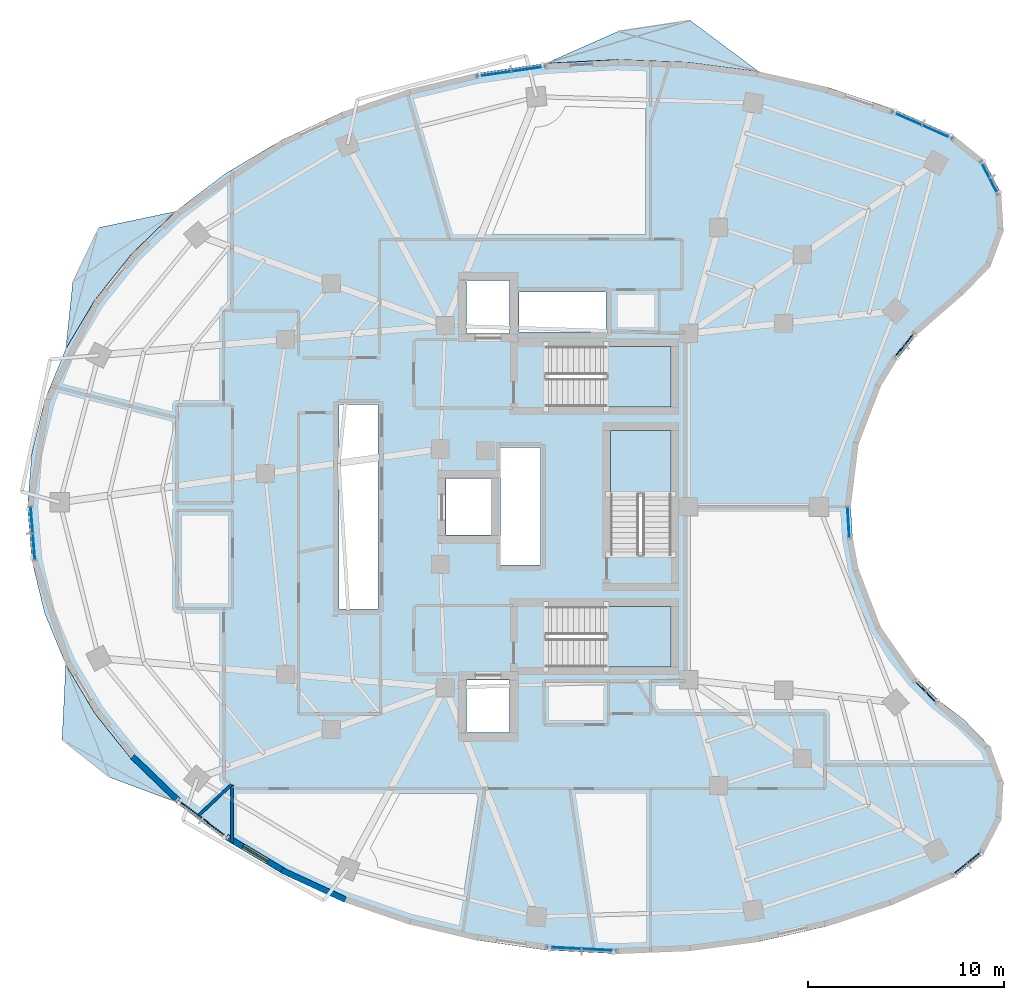
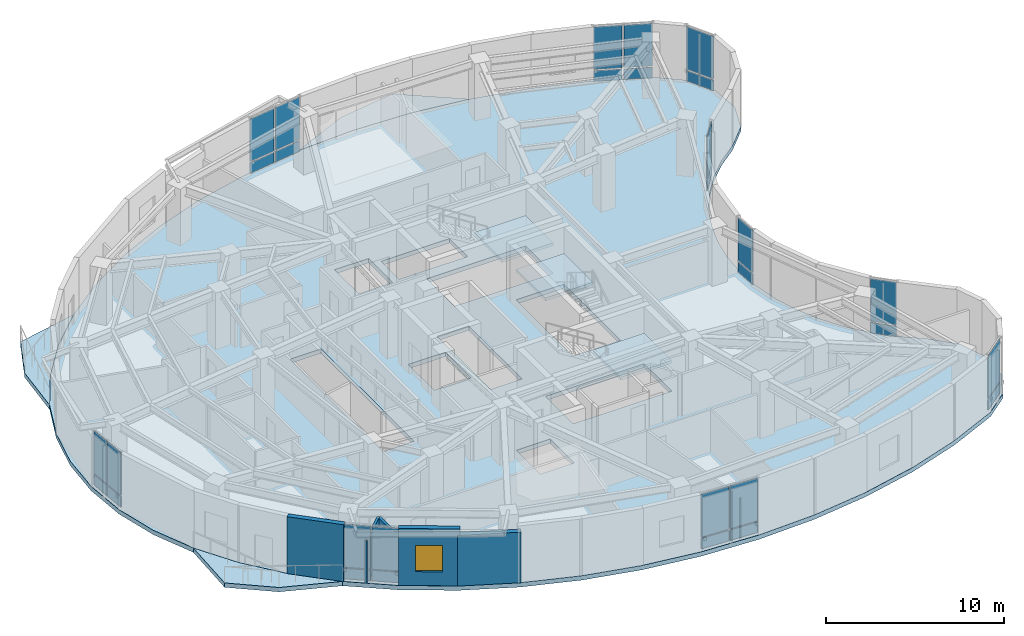
# One storey, part 7 of 15: 30 plates, 7 slabs, 5 walls, 1 window, 1 opening, 13 elements without a shape of their own.
"""IFC4 building model written with IfcOpenShell, lengths in metres."""

from ifc_helpers import new_model, si_unit, direction, frame, frame_2d, origin, origin_2d, place, context, subcontext, project, spatial, polyline, rectangle, outline, extrude, material, layer, layer_set, type_object, element, fill, aggregate, save


model = new_model("IFC4")

# Units and contexts
model_context = context("Model", 3, precision=1e-05, world=origin(), true_north=direction((0.0, 1.0)))
body_context = subcontext(model_context, "Body", "Model", "MODEL_VIEW")
ifc_project = project(units=[si_unit("LENGTHUNIT", "METRE"), si_unit("AREAUNIT", "SQUARE_METRE"), si_unit("VOLUMEUNIT", "CUBIC_METRE"), si_unit("PLANEANGLEUNIT", "RADIAN"), si_unit("MASSUNIT", "GRAM", prefix="KILO")], contexts=[model_context])

# Site, building, storey
site_placement = place(None, origin())
site = spatial("IfcSite", under=ifc_project, at=site_placement, CompositionType="ELEMENT")
building_placement = place(site_placement, origin())
building = spatial("IfcBuilding", under=site, at=building_placement, Name="Korentha Bioscience Tower", CompositionType="ELEMENT")
storey_placement = place(building_placement, frame((0.0, 0.0, 235.199951171875)))
storey = spatial("IfcBuildingStorey", under=building, at=storey_placement, Name="L54", CompositionType="ELEMENT", Elevation=235.199951171875)

# Curtain wall, plates
ifc_material_1 = material(Name="Thermally Broken Aluminium Frame", Category="aluminium")
ifc_layer_1 = layer(ifc_material_1, 0.219970703125, Name="Thermally Broken Aluminium Frame")
ifc_layer_set_1 = layer_set([ifc_layer_1], Name="Thermally Broken Aluminium Frame (CW-T2)")
curtain_wall_type_1 = type_object("IfcCurtainWallType", Name="Solar-Screened Lab Unitised Curtain Wall CW-T2", PredefinedType="USERDEFINED", material=ifc_layer_set_1)
curtain_wall_1_placement = place(storey_placement, origin())
curtain_wall_1 = element("IfcCurtainWall", 1, at=curtain_wall_1_placement, inside=storey, type_object=curtain_wall_type_1, Name="L54 Curtain Wall 01", ObjectType="UNITISED", PredefinedType="USERDEFINED")
ifc_material_2 = material(Name="Triple-Glazed Low-E Insulated Glass", Category="glass")
ifc_layer_2 = layer(ifc_material_2, 0.0439453125, Name="Triple-Glazed Low-E Insulated Glass")
ifc_layer_set_2 = layer_set([ifc_layer_2], Name="Triple-Glazed Low-E Insulated Glass (GL-44)")
plate_type = type_object("IfcPlateType", Name="Glazed Panel 44mm", PredefinedType="CURTAIN_PANEL", material=ifc_layer_set_2)
plate_1_placement = place(storey_placement, frame((50.25537109375, 46.142822265625, 0.08984375), z_axis=(0.0, 0.0, 1.0), x_axis=(-0.913943941578, 0.405840450983, 0.0)))
plate_1 = element("IfcPlate", 2, at=plate_1_placement, type_object=plate_type, Name="CW-L54-01 Bay 1 Glazed Panel 1", PredefinedType="CURTAIN_PANEL", context=body_context, shape_type="SweptSolid", body=[
    extrude(rectangle(XDim=1.624267578125, YDim=0.0439453125, at=origin_2d()), origin(), (0.0, 0.0, 1.0), 0.715087890625),
])
plate_2_placement = place(storey_placement, frame((50.25537109375, 46.142822265625, 0.89501953125), z_axis=(0.0, 0.0, 1.0), x_axis=(-0.913943941578, 0.405840450983, 0.0)))
plate_2 = element("IfcPlate", 3, at=plate_2_placement, type_object=plate_type, Name="CW-L54-01 Bay 1 Glazed Panel 2", PredefinedType="CURTAIN_PANEL", context=body_context, shape_type="SweptSolid", body=[
    extrude(rectangle(XDim=1.624267578125, YDim=0.0439453125, at=origin_2d()), origin(), (0.0, 0.0, 1.0), 2.9150390625),
])
plate_3_placement = place(storey_placement, frame((48.688720703125, 46.838623046875, 0.08984375), z_axis=(0.0, 0.0, 1.0), x_axis=(-0.913943941578, 0.405840450983, 0.0)))
plate_3 = element("IfcPlate", 4, at=plate_3_placement, type_object=plate_type, Name="CW-L54-01 Bay 2 Glazed Panel 1", PredefinedType="CURTAIN_PANEL", context=body_context, shape_type="SweptSolid", body=[
    extrude(rectangle(XDim=1.624267578125, YDim=0.0439453125, at=origin_2d()), origin(), (0.0, 0.0, 1.0), 0.715087890625),
])
plate_4_placement = place(storey_placement, frame((48.688720703125, 46.838623046875, 0.89501953125), z_axis=(0.0, 0.0, 1.0), x_axis=(-0.913943941578, 0.405840450983, 0.0)))
plate_4 = element("IfcPlate", 5, at=plate_4_placement, type_object=plate_type, Name="CW-L54-01 Bay 2 Glazed Panel 2", PredefinedType="CURTAIN_PANEL", context=body_context, shape_type="SweptSolid", body=[
    extrude(rectangle(XDim=1.624267578125, YDim=0.0439453125, at=origin_2d()), origin(), (0.0, 0.0, 1.0), 2.9150390625),
])
aggregate(curtain_wall_1, [plate_1, plate_2, plate_3, plate_4])

curtain_wall_2_placement = place(storey_placement, origin())
curtain_wall_2 = element("IfcCurtainWall", 6, at=curtain_wall_2_placement, inside=storey, type_object=curtain_wall_type_1, Name="L54 Curtain Wall 07", ObjectType="UNITISED", PredefinedType="USERDEFINED")
plate_5_placement = place(storey_placement, frame((29.373779296875, 49.370849609375, 0.08984375), z_axis=(0.0, 0.0, 1.0), x_axis=(-0.989901889134, -0.141754188259, 0.0)))
plate_5 = element("IfcPlate", 7, at=plate_5_placement, type_object=plate_type, Name="CW-L54-07 Bay 1 Glazed Panel 1", PredefinedType="CURTAIN_PANEL", context=body_context, shape_type="SweptSolid", body=[
    extrude(rectangle(XDim=1.7158203125, YDim=0.0439453125, at=origin_2d()), origin(), (0.0, 0.0, 1.0), 0.715087890625),
])
plate_6_placement = place(storey_placement, frame((29.373779296875, 49.370849609375, 0.89501953125), z_axis=(0.0, 0.0, 1.0), x_axis=(-0.989901889134, -0.141754188259, 0.0)))
plate_6 = element("IfcPlate", 8, at=plate_6_placement, type_object=plate_type, Name="CW-L54-07 Bay 1 Glazed Panel 2", PredefinedType="CURTAIN_PANEL", context=body_context, shape_type="SweptSolid", body=[
    extrude(rectangle(XDim=1.7158203125, YDim=0.0439453125, at=origin_2d()), origin(), (0.0, 0.0, 1.0), 2.9150390625),
])
plate_7_placement = place(storey_placement, frame((27.586181640625, 49.114990234375, 0.08984375), z_axis=(0.0, 0.0, 1.0), x_axis=(-0.989901889134, -0.141754188259, 0.0)))
plate_7 = element("IfcPlate", 9, at=plate_7_placement, type_object=plate_type, Name="CW-L54-07 Bay 2 Glazed Panel 1", PredefinedType="CURTAIN_PANEL", context=body_context, shape_type="SweptSolid", body=[
    extrude(rectangle(XDim=1.7158203125, YDim=0.0439453125, at=origin_2d()), origin(), (0.0, 0.0, 1.0), 0.715087890625),
])
plate_8_placement = place(storey_placement, frame((27.586181640625, 49.114990234375, 0.89501953125), z_axis=(0.0, 0.0, 1.0), x_axis=(-0.989901889134, -0.141754188259, 0.0)))
plate_8 = element("IfcPlate", 10, at=plate_8_placement, type_object=plate_type, Name="CW-L54-07 Bay 2 Glazed Panel 2", PredefinedType="CURTAIN_PANEL", context=body_context, shape_type="SweptSolid", body=[
    extrude(rectangle(XDim=1.7158203125, YDim=0.0439453125, at=origin_2d()), origin(), (0.0, 0.0, 1.0), 2.9150390625),
])
aggregate(curtain_wall_2, [plate_5, plate_6, plate_7, plate_8])

curtain_wall_3_placement = place(storey_placement, origin())
curtain_wall_3 = element("IfcCurtainWall", 11, at=curtain_wall_3_placement, inside=storey, type_object=curtain_wall_type_1, Name="L54 Curtain Wall 19", ObjectType="UNITISED", PredefinedType="USERDEFINED")
plate_9_placement = place(storey_placement, frame((3.971435546875, 26.3251953125, 0.08984375), z_axis=(0.0, 0.0, 1.0), x_axis=(0.07974803224, -0.996815053736, 0.0)))
plate_9 = element("IfcPlate", 12, at=plate_9_placement, type_object=plate_type, Name="CW-L54-19 Bay 1 Glazed Panel 1", PredefinedType="CURTAIN_PANEL", context=body_context, shape_type="SweptSolid", body=[
    extrude(rectangle(XDim=1.279541015625, YDim=0.0439453125, at=origin_2d()), origin(), (0.0, 0.0, 1.0), 0.715087890625),
])
plate_10_placement = place(storey_placement, frame((3.971435546875, 26.3251953125, 0.89501953125), z_axis=(0.0, 0.0, 1.0), x_axis=(0.07974803224, -0.996815053736, 0.0)))
plate_10 = element("IfcPlate", 13, at=plate_10_placement, type_object=plate_type, Name="CW-L54-19 Bay 1 Glazed Panel 2", PredefinedType="CURTAIN_PANEL", context=body_context, shape_type="SweptSolid", body=[
    extrude(rectangle(XDim=1.279541015625, YDim=0.0439453125, at=origin_2d()), origin(), (0.0, 0.0, 1.0), 2.9150390625),
])
plate_11_placement = place(storey_placement, frame((4.080810546875, 24.960205078125, 0.08984375), z_axis=(0.0, 0.0, 1.0), x_axis=(0.07974803224, -0.996815053736, 0.0)))
plate_11 = element("IfcPlate", 14, at=plate_11_placement, type_object=plate_type, Name="CW-L54-19 Bay 2 Glazed Panel 1", PredefinedType="CURTAIN_PANEL", context=body_context, shape_type="SweptSolid", body=[
    extrude(rectangle(XDim=1.279541015625, YDim=0.0439453125, at=origin_2d()), origin(), (0.0, 0.0, 1.0), 0.715087890625),
])
plate_12_placement = place(storey_placement, frame((4.080810546875, 24.960205078125, 0.89501953125), z_axis=(0.0, 0.0, 1.0), x_axis=(0.07974803224, -0.996815053736, 0.0)))
plate_12 = element("IfcPlate", 15, at=plate_12_placement, type_object=plate_type, Name="CW-L54-19 Bay 2 Glazed Panel 2", PredefinedType="CURTAIN_PANEL", context=body_context, shape_type="SweptSolid", body=[
    extrude(rectangle(XDim=1.279541015625, YDim=0.0439453125, at=origin_2d()), origin(), (0.0, 0.0, 1.0), 2.9150390625),
])
aggregate(curtain_wall_3, [plate_9, plate_10, plate_11, plate_12])

curtain_wall_4_placement = place(storey_placement, origin())
curtain_wall_4 = element("IfcCurtainWall", 16, at=curtain_wall_4_placement, inside=storey, type_object=curtain_wall_type_1, Name="L54 Curtain Wall 25", ObjectType="UNITISED", PredefinedType="USERDEFINED")
plate_13_placement = place(storey_placement, frame((12.063720703125, 11.55126953125, 0.08984375), z_axis=(0.0, 0.0, 1.0), x_axis=(0.796889131105, -0.604125576951, 0.0)))
plate_13 = element("IfcPlate", 17, at=plate_13_placement, type_object=plate_type, Name="CW-L54-25 Bay 1 Glazed Panel 1", PredefinedType="CURTAIN_PANEL", context=body_context, shape_type="SweptSolid", body=[
    extrude(rectangle(XDim=1.517822265625, YDim=0.0439453125, at=origin_2d()), origin(), (0.0, 0.0, 1.0), 0.715087890625),
])
plate_14_placement = place(storey_placement, frame((12.063720703125, 11.55126953125, 0.89501953125), z_axis=(0.0, 0.0, 1.0), x_axis=(0.796889131105, -0.604125576951, 0.0)))
plate_14 = element("IfcPlate", 18, at=plate_14_placement, type_object=plate_type, Name="CW-L54-25 Bay 1 Glazed Panel 2", PredefinedType="CURTAIN_PANEL", context=body_context, shape_type="SweptSolid", body=[
    extrude(rectangle(XDim=1.517822265625, YDim=0.0439453125, at=origin_2d()), origin(), (0.0, 0.0, 1.0), 2.9150390625),
])
plate_15_placement = place(storey_placement, frame((13.344970703125, 10.579833984375, 0.08984375), z_axis=(0.0, 0.0, 1.0), x_axis=(0.796889131105, -0.604125576951, 0.0)))
plate_15 = element("IfcPlate", 19, at=plate_15_placement, type_object=plate_type, Name="CW-L54-25 Bay 2 Glazed Panel 1", PredefinedType="CURTAIN_PANEL", context=body_context, shape_type="SweptSolid", body=[
    extrude(rectangle(XDim=1.517822265625, YDim=0.0439453125, at=origin_2d()), origin(), (0.0, 0.0, 1.0), 0.715087890625),
])
plate_16_placement = place(storey_placement, frame((13.344970703125, 10.579833984375, 0.89501953125), z_axis=(0.0, 0.0, 1.0), x_axis=(0.796889131105, -0.604125576951, 0.0)))
plate_16 = element("IfcPlate", 20, at=plate_16_placement, type_object=plate_type, Name="CW-L54-25 Bay 2 Glazed Panel 2", PredefinedType="CURTAIN_PANEL", context=body_context, shape_type="SweptSolid", body=[
    extrude(rectangle(XDim=1.517822265625, YDim=0.0439453125, at=origin_2d()), origin(), (0.0, 0.0, 1.0), 2.9150390625),
])
aggregate(curtain_wall_4, [plate_13, plate_14, plate_15, plate_16])

curtain_wall_5_placement = place(storey_placement, origin())
curtain_wall_5 = element("IfcCurtainWall", 21, at=curtain_wall_5_placement, inside=storey, type_object=curtain_wall_type_1, Name="L54 Curtain Wall 31", ObjectType="UNITISED", PredefinedType="USERDEFINED")
plate_17_placement = place(storey_placement, frame((31.170654296875, 4.455078125, 0.08984375), z_axis=(0.0, 0.0, 1.0), x_axis=(0.998695818107, -0.051055488397, 0.0)))
plate_17 = element("IfcPlate", 22, at=plate_17_placement, type_object=plate_type, Name="CW-L54-31 Bay 1 Glazed Panel 1", PredefinedType="CURTAIN_PANEL", context=body_context, shape_type="SweptSolid", body=[
    extrude(rectangle(XDim=1.727783203125, YDim=0.0439453125, at=origin_2d()), origin(), (0.0, 0.0, 1.0), 0.715087890625),
])
plate_18_placement = place(storey_placement, frame((31.170654296875, 4.455078125, 0.89501953125), z_axis=(0.0, 0.0, 1.0), x_axis=(0.998695818107, -0.051055488397, 0.0)))
plate_18 = element("IfcPlate", 23, at=plate_18_placement, type_object=plate_type, Name="CW-L54-31 Bay 1 Glazed Panel 2", PredefinedType="CURTAIN_PANEL", context=body_context, shape_type="SweptSolid", body=[
    extrude(rectangle(XDim=1.727783203125, YDim=0.0439453125, at=origin_2d()), origin(), (0.0, 0.0, 1.0), 2.9150390625),
])
plate_19_placement = place(storey_placement, frame((32.98583984375, 4.3623046875, 0.08984375), z_axis=(0.0, 0.0, 1.0), x_axis=(0.998695818107, -0.051055488397, 0.0)))
plate_19 = element("IfcPlate", 24, at=plate_19_placement, type_object=plate_type, Name="CW-L54-31 Bay 2 Glazed Panel 1", PredefinedType="CURTAIN_PANEL", context=body_context, shape_type="SweptSolid", body=[
    extrude(rectangle(XDim=1.727783203125, YDim=0.0439453125, at=origin_2d()), origin(), (0.0, 0.0, 1.0), 0.715087890625),
])
plate_20_placement = place(storey_placement, frame((32.98583984375, 4.3623046875, 0.89501953125), z_axis=(0.0, 0.0, 1.0), x_axis=(0.998695818107, -0.051055488397, 0.0)))
plate_20 = element("IfcPlate", 25, at=plate_20_placement, type_object=plate_type, Name="CW-L54-31 Bay 2 Glazed Panel 2", PredefinedType="CURTAIN_PANEL", context=body_context, shape_type="SweptSolid", body=[
    extrude(rectangle(XDim=1.727783203125, YDim=0.0439453125, at=origin_2d()), origin(), (0.0, 0.0, 1.0), 2.9150390625),
])
aggregate(curtain_wall_5, [plate_17, plate_18, plate_19, plate_20])

curtain_wall_6_placement = place(storey_placement, origin())
curtain_wall_6 = element("IfcCurtainWall", 26, at=curtain_wall_6_placement, inside=storey, type_object=curtain_wall_type_1, Name="L54 Curtain Wall 37", ObjectType="UNITISED", PredefinedType="USERDEFINED")
plate_21_placement = place(storey_placement, frame((51.76025390625, 8.790771484375, 0.08984375), z_axis=(0.0, 0.0, 1.0), x_axis=(0.779197616162, 0.626778330008, 0.0)))
plate_21 = element("IfcPlate", 27, at=plate_21_placement, type_object=plate_type, Name="CW-L54-37 Bay 1 Glazed Panel 1", PredefinedType="CURTAIN_PANEL", context=body_context, shape_type="SweptSolid", body=[
    extrude(rectangle(XDim=1.83154296875, YDim=0.0439453125, at=origin_2d()), origin(), (0.0, 0.0, 1.0), 0.715087890625),
])
plate_22_placement = place(storey_placement, frame((51.76025390625, 8.790771484375, 0.89501953125), z_axis=(0.0, 0.0, 1.0), x_axis=(0.779197616162, 0.626778330008, 0.0)))
plate_22 = element("IfcPlate", 28, at=plate_22_placement, type_object=plate_type, Name="CW-L54-37 Bay 1 Glazed Panel 2", PredefinedType="CURTAIN_PANEL", context=body_context, shape_type="SweptSolid", body=[
    extrude(rectangle(XDim=1.83154296875, YDim=0.0439453125, at=origin_2d()), origin(), (0.0, 0.0, 1.0), 2.9150390625),
])
aggregate(curtain_wall_6, [plate_21, plate_22])

curtain_wall_7_placement = place(storey_placement, origin())
curtain_wall_7 = element("IfcCurtainWall", 29, at=curtain_wall_7_placement, inside=storey, type_object=curtain_wall_type_1, Name="L54 Curtain Wall 43", ObjectType="UNITISED", PredefinedType="USERDEFINED")
plate_23_placement = place(storey_placement, frame((49.651611328125, 17.537109375, 0.08984375), z_axis=(0.0, 0.0, 1.0), x_axis=(-0.713258270268, 0.700901305388, 0.0)))
plate_23 = element("IfcPlate", 30, at=plate_23_placement, type_object=plate_type, Name="CW-L54-43 Bay 1 Glazed Panel 1", PredefinedType="CURTAIN_PANEL", context=body_context, shape_type="SweptSolid", body=[
    extrude(rectangle(XDim=1.50341796875, YDim=0.0439453125, at=origin_2d()), origin(), (0.0, 0.0, 1.0), 0.715087890625),
])
plate_24_placement = place(storey_placement, frame((49.651611328125, 17.537109375, 0.89501953125), z_axis=(0.0, 0.0, 1.0), x_axis=(-0.713258270268, 0.700901305388, 0.0)))
plate_24 = element("IfcPlate", 31, at=plate_24_placement, type_object=plate_type, Name="CW-L54-43 Bay 1 Glazed Panel 2", PredefinedType="CURTAIN_PANEL", context=body_context, shape_type="SweptSolid", body=[
    extrude(rectangle(XDim=1.50341796875, YDim=0.0439453125, at=origin_2d()), origin(), (0.0, 0.0, 1.0), 2.9150390625),
])
aggregate(curtain_wall_7, [plate_23, plate_24])

ifc_layer_3 = layer(ifc_material_1, 0.219970703125, Name="Thermally Broken Aluminium Frame")
ifc_layer_set_3 = layer_set([ifc_layer_3], Name="Thermally Broken Aluminium Frame (CW-T1)")
curtain_wall_type_2 = type_object("IfcCurtainWallType", Name="Standard Bioscience Lab Unitised Curtain Wall CW-T1", PredefinedType="USERDEFINED", material=ifc_layer_set_3)
curtain_wall_8_placement = place(storey_placement, origin())
curtain_wall_8 = element("IfcCurtainWall", 32, at=curtain_wall_8_placement, inside=storey, type_object=curtain_wall_type_2, Name="L54 Curtain Wall 49", ObjectType="UNITISED", PredefinedType="USERDEFINED")
plate_25_placement = place(storey_placement, frame((45.708251953125, 26.190185546875, 0.08984375), z_axis=(0.0, 0.0, 1.0), x_axis=(-0.06095424178, 0.998140561449, 0.0)))
plate_25 = element("IfcPlate", 33, at=plate_25_placement, type_object=plate_type, Name="CW-L54-49 Bay 1 Glazed Panel 1", PredefinedType="CURTAIN_PANEL", context=body_context, shape_type="SweptSolid", body=[
    extrude(rectangle(XDim=1.503173828125, YDim=0.0439453125, at=origin_2d()), origin(), (0.0, 0.0, 1.0), 0.715087890625),
])
plate_26_placement = place(storey_placement, frame((45.708251953125, 26.190185546875, 0.89501953125), z_axis=(0.0, 0.0, 1.0), x_axis=(-0.06095424178, 0.998140561449, 0.0)))
plate_26 = element("IfcPlate", 34, at=plate_26_placement, type_object=plate_type, Name="CW-L54-49 Bay 1 Glazed Panel 2", PredefinedType="CURTAIN_PANEL", context=body_context, shape_type="SweptSolid", body=[
    extrude(rectangle(XDim=1.503173828125, YDim=0.0439453125, at=origin_2d()), origin(), (0.0, 0.0, 1.0), 2.9150390625),
])
aggregate(curtain_wall_8, [plate_25, plate_26])

curtain_wall_9_placement = place(storey_placement, origin())
curtain_wall_9 = element("IfcCurtainWall", 35, at=curtain_wall_9_placement, inside=storey, type_object=curtain_wall_type_1, Name="L54 Curtain Wall 55", ObjectType="UNITISED", PredefinedType="USERDEFINED")
plate_27_placement = place(storey_placement, frame((48.567626953125, 35.259033203125, 0.08984375), z_axis=(0.0, 0.0, 1.0), x_axis=(0.622511989066, 0.782610262819, 0.0)))
plate_27 = element("IfcPlate", 36, at=plate_27_placement, type_object=plate_type, Name="CW-L54-55 Bay 1 Glazed Panel 1", PredefinedType="CURTAIN_PANEL", context=body_context, shape_type="SweptSolid", body=[
    extrude(rectangle(XDim=1.50341796875, YDim=0.0439453125, at=origin_2d()), origin(), (0.0, 0.0, 1.0), 0.715087890625),
])
plate_28_placement = place(storey_placement, frame((48.567626953125, 35.259033203125, 0.89501953125), z_axis=(0.0, 0.0, 1.0), x_axis=(0.622511989066, 0.782610262819, 0.0)))
plate_28 = element("IfcPlate", 37, at=plate_28_placement, type_object=plate_type, Name="CW-L54-55 Bay 1 Glazed Panel 2", PredefinedType="CURTAIN_PANEL", context=body_context, shape_type="SweptSolid", body=[
    extrude(rectangle(XDim=1.50341796875, YDim=0.0439453125, at=origin_2d()), origin(), (0.0, 0.0, 1.0), 2.9150390625),
])
aggregate(curtain_wall_9, [plate_27, plate_28])

curtain_wall_10_placement = place(storey_placement, origin())
curtain_wall_10 = element("IfcCurtainWall", 38, at=curtain_wall_10_placement, inside=storey, type_object=curtain_wall_type_1, Name="L54 Curtain Wall 61", ObjectType="UNITISED", PredefinedType="USERDEFINED")
plate_29_placement = place(storey_placement, frame((52.914794921875, 43.79736328125, 0.08984375), z_axis=(0.0, 0.0, 1.0), x_axis=(-0.459738031963, 0.888054582763, 0.0)))
plate_29 = element("IfcPlate", 39, at=plate_29_placement, type_object=plate_type, Name="CW-L54-61 Bay 1 Glazed Panel 1", PredefinedType="CURTAIN_PANEL", context=body_context, shape_type="SweptSolid", body=[
    extrude(rectangle(XDim=1.831298828125, YDim=0.0439453125, at=origin_2d()), origin(), (0.0, 0.0, 1.0), 0.715087890625),
])
plate_30_placement = place(storey_placement, frame((52.914794921875, 43.79736328125, 0.89501953125), z_axis=(0.0, 0.0, 1.0), x_axis=(-0.459738031963, 0.888054582763, 0.0)))
plate_30 = element("IfcPlate", 40, at=plate_30_placement, type_object=plate_type, Name="CW-L54-61 Bay 1 Glazed Panel 2", PredefinedType="CURTAIN_PANEL", context=body_context, shape_type="SweptSolid", body=[
    extrude(rectangle(XDim=1.831298828125, YDim=0.0439453125, at=origin_2d()), origin(), (0.0, 0.0, 1.0), 2.9150390625),
])
aggregate(curtain_wall_10, [plate_29, plate_30])

# Slab
ifc_material_3 = material(Name="Concrete C50", Category="concrete")
ifc_layer_4 = layer(ifc_material_3, 0.300048828125, Name="Concrete C50")
ifc_layer_set_4 = layer_set([ifc_layer_4], Name="Concrete C50 (SL-L300)")
slab_type_1 = type_object("IfcSlabType", Name="Laboratory Vibration-Controlled Slab 300", PredefinedType="FLOOR", material=ifc_layer_set_4)
slab_1_placement = place(storey_placement, frame((0.0, 0.0, -0.300048828125)))
element("IfcSlab", 41, at=slab_1_placement, inside=storey, type_object=slab_type_1, Name="L54 Tower Structural Floor Slab", PredefinedType="FLOOR", context=body_context, shape_type="SweptSolid", body=[
    extrude(outline(polyline([(51.108154296875, 45.939208984375), (47.9658203125, 47.334716796875), (44.623291015625, 48.4365234375), (41.129638671875, 49.22900390625), (37.53466796875, 49.700439453125), (33.890380859375, 49.843994140625), (30.249755859375, 49.657958984375), (26.664794921875, 49.14453125), (23.187744140625, 48.3115234375), (19.86865234375, 47.1708984375), (16.75537109375, 45.73876953125), (13.892822265625, 44.0361328125), (11.322509765625, 42.087646484375), (9.081298828125, 39.921142578125), (7.201904296875, 37.568115234375), (5.711181640625, 35.0625), (4.630859375, 32.440673828125), (3.976318359375, 29.739990234375), (3.757080078125, 27.0), (3.976318359375, 24.260009765625), (4.630859375, 21.559326171875), (5.711181640625, 18.9375), (7.201904296875, 16.431884765625), (9.081298828125, 14.078857421875), (11.322509765625, 11.912353515625), (13.892822265625, 9.9638671875), (16.75537109375, 8.26123046875), (19.86865234375, 6.8291015625), (23.187744140625, 5.6884765625), (26.664794921875, 4.85546875), (30.249755859375, 4.342041015625), (33.890380859375, 4.156005859375), (37.53466796875, 4.299560546875), (41.129638671875, 4.77099609375), (44.623291015625, 5.5634765625), (47.9658203125, 6.665283203125), (51.108154296875, 8.060791015625), (52.613037109375, 9.271484375), (53.5009765625, 10.986572265625), (53.62060546875, 12.914306640625), (52.951416015625, 14.72607421875), (51.607421875, 16.11328125), (50.33544921875, 17.08935546875), (49.19189453125, 18.213134765625), (48.19384765625, 19.468017578125), (47.35595703125, 20.8349609375), (46.691162109375, 22.2939453125), (46.208984375, 23.8232421875), (45.916748046875, 25.399658203125), (45.819091796875, 27.0), (45.916748046875, 28.600341796875), (46.208984375, 30.1767578125), (46.691162109375, 31.7060546875), (47.35595703125, 33.1650390625), (48.19384765625, 34.531982421875), (49.19189453125, 35.786865234375), (50.33544921875, 36.91064453125), (51.607421875, 37.88671875), (52.951416015625, 39.27392578125), (53.62060546875, 41.085693359375), (53.5009765625, 43.013427734375), (52.613037109375, 44.728515625), (51.108154296875, 45.939208984375)]), holes=[polyline([(30.25, 32.10009765625), (36.64990234375, 32.10009765625), (36.64990234375, 35.199951171875), (30.25, 35.199951171875), (30.25, 32.10009765625)]), polyline([(30.25, 18.800048828125), (36.64990234375, 18.800048828125), (36.64990234375, 21.89990234375), (30.25, 21.89990234375), (30.25, 18.800048828125)]), polyline([(36.64990234375, 24.550048828125), (36.64990234375, 30.89990234375), (33.550048828125, 30.89990234375), (33.550048828125, 24.550048828125), (36.64990234375, 24.550048828125)]), polyline([(19.679931640625, 21.780029296875), (21.669921875, 21.780029296875), (21.669921875, 32.219970703125), (19.679931640625, 32.219970703125), (19.679931640625, 21.780029296875)]), polyline([(27.929931640625, 24.030029296875), (29.969970703125, 24.030029296875), (29.969970703125, 30.02001953125), (27.929931640625, 30.02001953125), (27.929931640625, 24.030029296875)]), polyline([(28.860107421875, 35.93994140625), (33.31005859375, 35.93994140625), (33.31005859375, 37.9599609375), (28.860107421875, 37.9599609375), (28.860107421875, 35.93994140625)]), polyline([(26.199951171875, 15.449951171875), (28.39990234375, 15.449951171875), (28.39990234375, 18.14990234375), (26.199951171875, 18.14990234375), (26.199951171875, 15.449951171875)]), polyline([(26.199951171875, 35.85009765625), (28.39990234375, 35.85009765625), (28.39990234375, 38.550048828125), (26.199951171875, 38.550048828125), (26.199951171875, 35.85009765625)]), polyline([(25.14990234375, 25.550048828125), (27.550048828125, 25.550048828125), (27.550048828125, 28.449951171875), (25.14990234375, 28.449951171875), (25.14990234375, 25.550048828125)])]), origin(), (0.0, 0.0, 1.0), 0.300048828125),
])

# Stair, slab
ifc_material_4 = material(Name="Precast Concrete C50", Category="concrete")
stair_type = type_object("IfcStairType", Name="Core Exit Dog-Leg Stair 1450", PredefinedType="HALF_TURN_STAIR", material=ifc_material_4)
stair_1_placement = place(storey_placement, origin())
stair_1 = element("IfcStair", 42, at=stair_1_placement, inside=storey, type_object=stair_type, Name="L54 Tower North Pressurized Exit Stair ST-1", PredefinedType="HALF_TURN_STAIR")
ifc_layer_5 = layer(ifc_material_3, 0.199951171875, Name="Concrete C50")
ifc_layer_set_5 = layer_set([ifc_layer_5], Name="Concrete C50 (SL-LND)")
slab_type_2 = type_object("IfcSlabType", Name="Landing Slab 200", PredefinedType="LANDING", material=ifc_layer_set_5)
slab_2_placement = place(storey_placement, frame((0.0, 0.0, 1.900146484375)))
slab_2 = element("IfcSlab", 43, at=slab_2_placement, type_object=slab_type_2, Name="ST-1 landing 1", PredefinedType="LANDING", context=body_context, shape_type="SweptSolid", body=[
    extrude(outline(polyline([(33.330078125, 32.10009765625), (36.64990234375, 32.10009765625), (36.64990234375, 35.199951171875), (33.330078125, 35.199951171875), (33.330078125, 32.10009765625)])), origin(), (0.0, 0.0, 1.0), 0.199951171875),
])
aggregate(stair_1, [slab_2])

stair_2_placement = place(storey_placement, origin())
stair_2 = element("IfcStair", 44, at=stair_2_placement, inside=storey, type_object=stair_type, Name="L54 Tower South Pressurized Exit Stair ST-2", PredefinedType="HALF_TURN_STAIR")
slab_3_placement = place(storey_placement, frame((0.0, 0.0, 1.900146484375)))
slab_3 = element("IfcSlab", 45, at=slab_3_placement, type_object=slab_type_2, Name="ST-2 landing 1", PredefinedType="LANDING", context=body_context, shape_type="SweptSolid", body=[
    extrude(outline(polyline([(33.330078125, 18.800048828125), (36.64990234375, 18.800048828125), (36.64990234375, 21.89990234375), (33.330078125, 21.89990234375), (33.330078125, 18.800048828125)])), origin(), (0.0, 0.0, 1.0), 0.199951171875),
])
aggregate(stair_2, [slab_3])

stair_3_placement = place(storey_placement, origin())
stair_3 = element("IfcStair", 46, at=stair_3_placement, inside=storey, type_object=stair_type, Name="L54 Tower Central Pressurized Exit Stair ST-3", PredefinedType="HALF_TURN_STAIR")
slab_4_placement = place(storey_placement, frame((0.0, 0.0, 1.900146484375)))
slab_4 = element("IfcSlab", 47, at=slab_4_placement, type_object=slab_type_2, Name="ST-3 landing 1", PredefinedType="LANDING", context=body_context, shape_type="SweptSolid", body=[
    extrude(outline(polyline([(36.64990234375, 27.6298828125), (36.64990234375, 30.89990234375), (33.550048828125, 30.89990234375), (33.550048828125, 27.6298828125), (36.64990234375, 27.6298828125)])), origin(), (0.0, 0.0, 1.0), 0.199951171875),
])
aggregate(stair_3, [slab_4])

# Slabs
ifc_layer_6 = layer(ifc_material_3, 0.300048828125, Name="Concrete C50")
ifc_layer_set_6 = layer_set([ifc_layer_6], Name="Concrete C50 (BS-240)")
slab_type_3 = type_object("IfcSlabType", Name="Sawtooth Sun-Ledge Balcony Slab 240", PredefinedType="USERDEFINED", material=ifc_layer_set_6)
slab_5_placement = place(storey_placement, frame((0.0, 0.0, -0.300048828125)))
element("IfcSlab", 48, at=slab_5_placement, inside=storey, type_object=slab_type_3, Name="L54 Sun-Ledge Balcony 01", ObjectType="BALCONY", PredefinedType="USERDEFINED", context=body_context, shape_type="SweptSolid", body=[
    extrude(outline(polyline([(30.249755859375, 49.657958984375), (33.890380859375, 49.843994140625), (37.53466796875, 49.700439453125), (41.129638671875, 49.22900390625), (37.619384765625, 51.8486328125), (33.947509765625, 51.29296875), (30.249755859375, 49.657958984375)])), origin(), (0.0, 0.0, 1.0), 0.300048828125),
])
slab_6_placement = place(storey_placement, frame((0.0, 0.0, -0.300048828125)))
element("IfcSlab", 49, at=slab_6_placement, inside=storey, type_object=slab_type_3, Name="L54 Sun-Ledge Balcony 02", ObjectType="BALCONY", PredefinedType="USERDEFINED", context=body_context, shape_type="SweptSolid", body=[
    extrude(outline(polyline([(5.711181640625, 35.0625), (7.201904296875, 37.568115234375), (9.081298828125, 39.921142578125), (11.322509765625, 42.087646484375), (7.401611328125, 41.262939453125), (6.069091796875, 38.47314453125), (5.711181640625, 35.0625)])), origin(), (0.0, 0.0, 1.0), 0.300048828125),
])
slab_7_placement = place(storey_placement, frame((0.0, 0.0, -0.300048828125)))
element("IfcSlab", 50, at=slab_7_placement, inside=storey, type_object=slab_type_3, Name="L54 Sun-Ledge Balcony 03", ObjectType="BALCONY", PredefinedType="USERDEFINED", context=body_context, shape_type="SweptSolid", body=[
    extrude(outline(polyline([(11.322509765625, 11.912353515625), (9.081298828125, 14.078857421875), (7.201904296875, 16.431884765625), (5.711181640625, 18.9375), (5.522216796875, 15.090087890625), (7.948486328125, 13.173828125), (11.322509765625, 11.912353515625)])), origin(), (0.0, 0.0, 1.0), 0.300048828125),
])

# Walls
ifc_material_5 = material(Name="Double-Stud Acoustic Gypsum", Category="gypsum")
ifc_layer_7 = layer(ifc_material_5, 0.14990234375, Name="Double-Stud Acoustic Gypsum")
ifc_layer_set_7 = layer_set([ifc_layer_7], Name="Double-Stud Acoustic Gypsum (IW-L150)")
wall_type_1 = type_object("IfcWallType", Name="Acoustic Laboratory Partition Wall 150", PredefinedType="PARTITIONING", material=ifc_layer_set_7)
wall_1_placement = place(storey_placement, frame((14.17529296875, 12.79931640625, 0.0), z_axis=(0.0, 0.0, 1.0), x_axis=(-0.728528819482, -0.685015152521, 0.0)))
element("IfcWall", 51, at=wall_1_placement, inside=storey, type_object=wall_type_1, Name="L54 Interior Partition 034", PredefinedType="PARTITIONING", context=body_context, shape_type="SweptSolid", body=[
    extrude(rectangle(XDim=2.440673828125, YDim=0.14990234375, at=frame_2d((1.22021484375, 0.0))), origin(), (0.0, 0.0, 1.0), 2.91015625),
])
wall_2_placement = place(storey_placement, frame((14.201904296875, 9.847412109375, 0.0), z_axis=(0.0, 0.0, 1.0), x_axis=(0.0, 1.0, 0.0)))
element("IfcWall", 52, at=wall_2_placement, inside=storey, type_object=wall_type_1, Name="L54 Interior Partition 039", PredefinedType="PARTITIONING", context=body_context, shape_type="SweptSolid", body=[
    extrude(rectangle(XDim=2.931396484375, YDim=0.14990234375, at=frame_2d((1.4658203125, 0.0))), origin(), (0.0, 0.0, 1.0), 2.91015625),
])

# Wall, opening, window
ifc_material_6 = material(Name="Honed Limestone Precast Concrete C40", Category="masonry")
ifc_layer_8 = layer(ifc_material_6, 0.300048828125, Name="Honed Limestone Precast Concrete C40")
ifc_layer_set_8 = layer_set([ifc_layer_8], Name="Honed Limestone Precast Concrete C40 (EW-ST300)")
wall_type_2 = type_object("IfcWallType", Name="Honed Limestone Cavity Spandrel Wall 300", PredefinedType="STANDARD", material=ifc_layer_set_8)
wall_3_placement = place(storey_placement, frame((13.923095703125, 10.132080078125, 0.0), z_axis=(0.0, 0.0, 1.0), x_axis=(0.859459434124, -0.511203952543, 0.0)))
wall_3 = element("IfcWall", 53, at=wall_3_placement, inside=storey, type_object=wall_type_2, Name="L54 Honed Limestone Spandrel Wall 26", PredefinedType="STANDARD", context=body_context, shape_type="SweptSolid", body=[
    extrude(rectangle(XDim=3.450439453125, YDim=0.300048828125, at=frame_2d((1.72509765625, 0.0))), origin(), (0.0, 0.0, 1.0), 3.900146484375),
])
opening_placement = place(wall_3_placement, frame((0.97509765625, 0.0, 0.949951171875)))
opening = element("IfcOpeningElement", 54, at=opening_placement, cuts=wall_3, Name="Opening WN-02", PredefinedType="OPENING", context=body_context, shape_type="SweptSolid", body=[
    extrude(rectangle(XDim=1.5, YDim=1.800048828125, at=frame_2d((0.75, 0.89990234375))), frame((0.0, 0.1650390625, 0.0), z_axis=(0.0, -1.0, 0.0), x_axis=(1.0, 0.0, 0.0)), (0.0, 0.0, 1.0), 0.329833984375),
])
ifc_material_7 = material(Name="Thermally Broken Aluminium Triple Glazing", Category="aluminium")
window_type = type_object("IfcWindowType", Name="Acoustic Operable Office Window 1500x1800", PartitioningType="DOUBLE_PANEL_VERTICAL", PredefinedType="WINDOW", material=ifc_material_7)
window_placement = place(opening_placement, origin())
window = element("IfcWindow", 55, at=window_placement, inside=storey, type_object=window_type, Name="L54 Facade Window 26", OverallHeight=1.800048828125, OverallWidth=1.5, PartitioningType="DOUBLE_PANEL_VERTICAL", PredefinedType="WINDOW", context=body_context, shape_type="SweptSolid", body=[
    extrude(rectangle(XDim=1.5, YDim=1.800048828125, at=frame_2d((0.75, 0.89990234375))), frame((0.0, 0.030029296875, 0.0), z_axis=(0.0, -1.0, 0.0), x_axis=(1.0, 0.0, 0.0)), (0.0, 0.0, 1.0), 0.06005859375),
])
fill(opening, window)

# Walls
wall_4_placement = place(storey_placement, frame((9.12109375, 14.235107421875, 0.0), z_axis=(0.0, 0.0, 1.0), x_axis=(0.718999544538, -0.695010543052, 0.0)))
element("IfcWall", 56, at=wall_4_placement, inside=storey, type_object=wall_type_2, Name="L54 Limestone Perimeter Closure Wall 24", PredefinedType="STANDARD", context=body_context, shape_type="SweptSolid", body=[
    extrude(rectangle(XDim=3.277099609375, YDim=0.300048828125, at=frame_2d((1.638671875, 0.0))), origin(), (0.0, 0.0, 1.0), 3.900146484375),
])
wall_5_placement = place(storey_placement, frame((16.7412109375, 8.421875, 0.0), z_axis=(0.0, 0.0, 1.0), x_axis=(0.908506474671, -0.417870776055, 0.0)))
element("IfcWall", 57, at=wall_5_placement, inside=storey, type_object=wall_type_2, Name="L54 Limestone Perimeter Closure Wall 27", PredefinedType="STANDARD", context=body_context, shape_type="SweptSolid", body=[
    extrude(rectangle(XDim=3.586669921875, YDim=0.300048828125, at=frame_2d((1.79345703125, 0.0))), origin(), (0.0, 0.0, 1.0), 3.469970703125),
])

save(model, "model.ifc")
